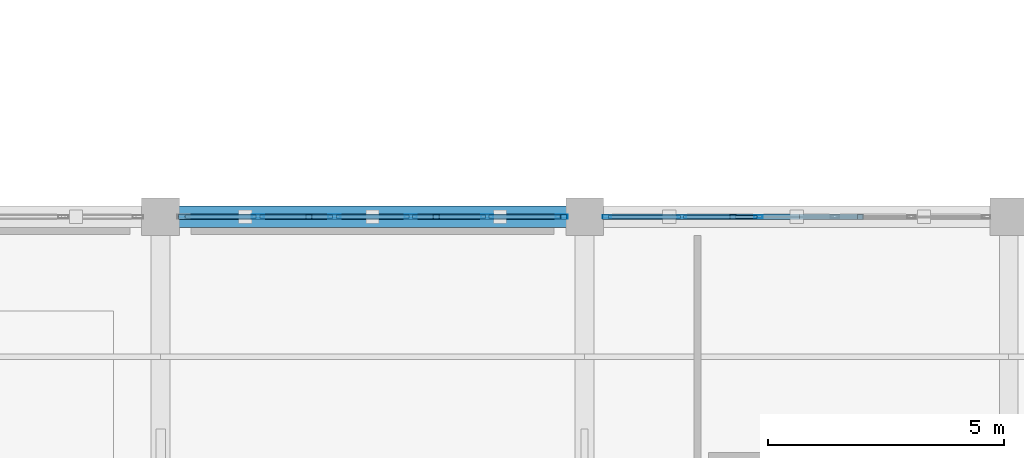
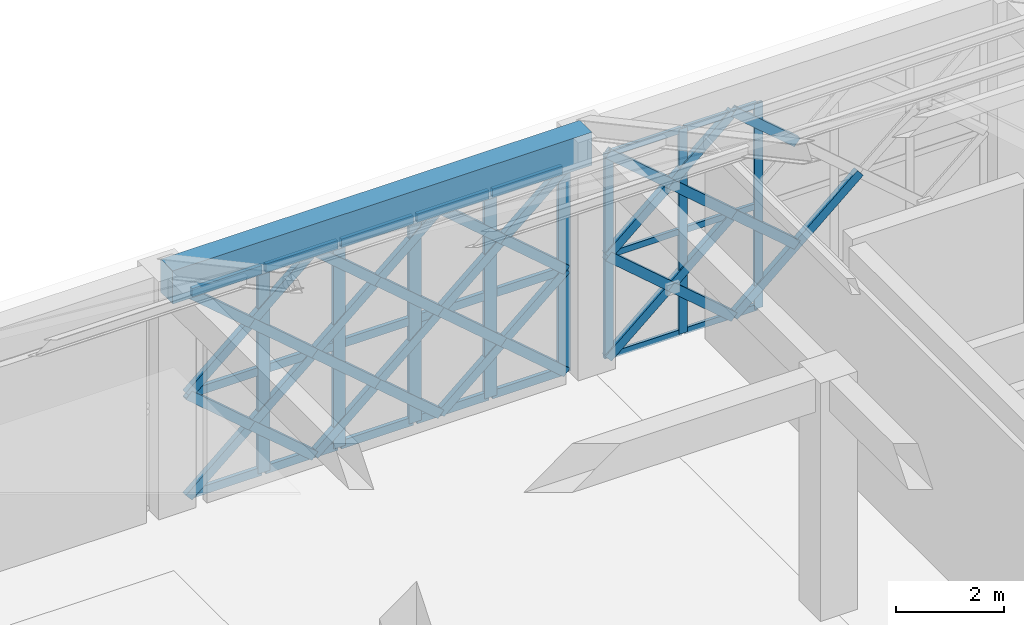
# One storey, part 58 of 86: 56 members, 1 beam, 2 elements without a shape of their own.
"""IFC4 building model written with IfcOpenShell, lengths in metres."""

from ifc_helpers import new_model, si_unit, direction, frame, origin, origin_2d, place, context, subcontext, project, spatial, rectangle, hollow_rectangle, extrude, material, material_profile, profile_set, type_object, element, aggregate, save


model = new_model("IFC4")

# Units and contexts
model_context = context("Model", 3, precision=1e-05, world=origin(), true_north=direction((0.0, 1.0)))
body_context = subcontext(model_context, "Body", "Model", "MODEL_VIEW")
ifc_project = project(units=[si_unit("LENGTHUNIT", "METRE"), si_unit("AREAUNIT", "SQUARE_METRE"), si_unit("VOLUMEUNIT", "CUBIC_METRE"), si_unit("PLANEANGLEUNIT", "RADIAN"), si_unit("MASSUNIT", "GRAM", prefix="KILO")], contexts=[model_context])

# Site, building, storey
site_placement = place(None, origin())
site = spatial("IfcSite", under=ifc_project, at=site_placement, CompositionType="ELEMENT")
building_placement = place(site_placement, origin())
building = spatial("IfcBuilding", under=site, at=building_placement, Name="Haizhuo Lancet Aquarium", CompositionType="ELEMENT")
storey_placement = place(building_placement, frame((0.0, 0.0, 16.199951171875)))
storey = spatial("IfcBuildingStorey", under=building, at=storey_placement, Name="L03", CompositionType="ELEMENT", Elevation=16.199951171875)

# Beam
ifc_material_1 = material(Name="Concrete C40/50", Category="concrete")
ifc_material_profile_1 = material_profile(ifc_material_1, rectangle(XDim=0.449951171875, YDim=0.75, at=origin_2d()), Name="RC-BM 450x750")
ifc_profile_set_1 = profile_set([ifc_material_profile_1], Name="Concrete C40/50")
beam_type = type_object("IfcBeamType", Name="BM-RC-450x750", PredefinedType="BEAM", material=ifc_profile_set_1)
beam_placement = place(storey_placement, frame((45.0, -9.0, 5.025146484375), z_axis=(1.0, 0.0, 0.0), x_axis=(0.0, 1.0, 0.0)))
element("IfcBeam", 1, at=beam_placement, inside=storey, type_object=beam_type, Name="L03 V3 primary girder BM-L03-V3-020", PredefinedType="BEAM", context=body_context, shape_type="SweptSolid", body=[
    extrude(rectangle(XDim=0.449951171875, YDim=0.75, at=origin_2d()), origin(), (0.0, 0.0, 1.0), 9.0),
])

# Curtain wall, members
ifc_material_2 = material(Name="Aluminium 6063-T6", Category="aluminium")
curtain_wall_type = type_object("IfcCurtainWallType", Name="CWO-8110x4650", PredefinedType="NOTDEFINED", material=ifc_material_2)
curtain_wall_1_placement = place(storey_placement, origin())
curtain_wall_1 = element("IfcCurtainWall", 2, at=curtain_wall_1_placement, inside=storey, type_object=curtain_wall_type, Name="L03 curtain wall CW-V3-L03-070", PredefinedType="NOTDEFINED")
ifc_material_profile_2 = material_profile(ifc_material_2, hollow_rectangle(XDim=0.06494140625, YDim=0.179931640625, WallThickness=0.00390625, at=origin_2d()), Name="ALU-M 65x180x4")
ifc_profile_set_2 = profile_set([ifc_material_profile_2], Name="Aluminium 6063-T6")
member_type_1 = type_object("IfcMemberType", Name="CW-MUL-1", PredefinedType="MULLION", material=ifc_profile_set_2)
member_1_placement = place(storey_placement, frame((54.47705078125, -9.0, 0.0), z_axis=(0.0, 0.0, 1.0), x_axis=(0.0, 1.0, 0.0)))
member_1 = element("IfcMember", 3, at=member_1_placement, type_object=member_type_1, Name="CWO-81x46 mullion 1", PredefinedType="MULLION", context=body_context, shape_type="SweptSolid", body=[
    extrude(hollow_rectangle(XDim=0.06494140625, YDim=0.179931640625, WallThickness=0.00390625, at=origin_2d()), origin(), (0.0, 0.0, 1.0), 4.650146484375),
])
member_2_placement = place(storey_placement, frame((56.06689453125, -9.0, 0.0), z_axis=(0.0, 0.0, 1.0), x_axis=(0.0, 1.0, 0.0)))
member_2 = element("IfcMember", 4, at=member_2_placement, type_object=member_type_1, Name="CWO-81x46 mullion 2", PredefinedType="MULLION", context=body_context, shape_type="SweptSolid", body=[
    extrude(hollow_rectangle(XDim=0.06494140625, YDim=0.179931640625, WallThickness=0.00390625, at=origin_2d()), origin(), (0.0, 0.0, 1.0), 4.650146484375),
])
member_3_placement = place(storey_placement, frame((57.68896484375, -9.0, 0.0), z_axis=(0.0, 0.0, 1.0), x_axis=(0.0, 1.0, 0.0)))
member_3 = element("IfcMember", 5, at=member_3_placement, type_object=member_type_1, Name="CWO-81x46 mullion 3", PredefinedType="MULLION", context=body_context, shape_type="SweptSolid", body=[
    extrude(hollow_rectangle(XDim=0.06494140625, YDim=0.179931640625, WallThickness=0.00390625, at=origin_2d()), origin(), (0.0, 0.0, 1.0), 4.650146484375),
])

curtain_wall_2_placement = place(storey_placement, origin())
curtain_wall_2 = element("IfcCurtainWall", 6, at=curtain_wall_2_placement, inside=storey, type_object=curtain_wall_type, Name="L03 curtain wall CW-V3-L03-069", PredefinedType="NOTDEFINED")
ifc_material_profile_3 = material_profile(ifc_material_2, hollow_rectangle(XDim=0.080078125, YDim=0.260009765625, WallThickness=0.0048828125, at=origin_2d()), Name="ALU-M 80x260x5")
ifc_profile_set_3 = profile_set([ifc_material_profile_3], Name="Aluminium 6063-T6")
member_type_2 = type_object("IfcMemberType", Name="CW-MUL-3", PredefinedType="MULLION", material=ifc_profile_set_3)
member_4_placement = place(storey_placement, frame((47.06689453125, -9.0, 0.0), z_axis=(0.0, 0.0, 1.0), x_axis=(0.0, 1.0, 0.0)))
member_4 = element("IfcMember", 7, at=member_4_placement, type_object=member_type_2, Name="CWO-81x46 mullion 2", PredefinedType="MULLION", context=body_context, shape_type="SweptSolid", body=[
    extrude(hollow_rectangle(XDim=0.080078125, YDim=0.260009765625, WallThickness=0.0048828125, at=origin_2d()), origin(), (0.0, 0.0, 1.0), 4.650146484375),
])
member_5_placement = place(storey_placement, frame((48.68896484375, -9.0, 0.0), z_axis=(0.0, 0.0, 1.0), x_axis=(0.0, 1.0, 0.0)))
member_5 = element("IfcMember", 8, at=member_5_placement, type_object=member_type_2, Name="CWO-81x46 mullion 3", PredefinedType="MULLION", context=body_context, shape_type="SweptSolid", body=[
    extrude(hollow_rectangle(XDim=0.080078125, YDim=0.260009765625, WallThickness=0.0048828125, at=origin_2d()), origin(), (0.0, 0.0, 1.0), 4.650146484375),
])
member_6_placement = place(storey_placement, frame((50.31103515625, -9.0, 0.0), z_axis=(0.0, 0.0, 1.0), x_axis=(0.0, 1.0, 0.0)))
member_6 = element("IfcMember", 9, at=member_6_placement, type_object=member_type_2, Name="CWO-81x46 mullion 4", PredefinedType="MULLION", context=body_context, shape_type="SweptSolid", body=[
    extrude(hollow_rectangle(XDim=0.080078125, YDim=0.260009765625, WallThickness=0.0048828125, at=origin_2d()), origin(), (0.0, 0.0, 1.0), 4.650146484375),
])
member_7_placement = place(storey_placement, frame((51.93310546875, -9.0, 0.0), z_axis=(0.0, 0.0, 1.0), x_axis=(0.0, 1.0, 0.0)))
member_7 = element("IfcMember", 10, at=member_7_placement, type_object=member_type_2, Name="CWO-81x46 mullion 5", PredefinedType="MULLION", context=body_context, shape_type="SweptSolid", body=[
    extrude(hollow_rectangle(XDim=0.080078125, YDim=0.260009765625, WallThickness=0.0048828125, at=origin_2d()), origin(), (0.0, 0.0, 1.0), 4.650146484375),
])
member_8_placement = place(storey_placement, frame((53.514892578125, -9.0, 0.0), z_axis=(0.0, 0.0, 1.0), x_axis=(0.0, 1.0, 0.0)))
member_8 = element("IfcMember", 11, at=member_8_placement, type_object=member_type_2, Name="CWO-81x46 mullion 6", PredefinedType="MULLION", context=body_context, shape_type="SweptSolid", body=[
    extrude(hollow_rectangle(XDim=0.080078125, YDim=0.260009765625, WallThickness=0.0048828125, at=origin_2d()), origin(), (0.0, 0.0, 1.0), 4.650146484375),
])

# Member
ifc_material_profile_4 = material_profile(ifc_material_2, hollow_rectangle(XDim=0.06494140625, YDim=0.139892578125, WallThickness=0.00390625, at=origin_2d()), Name="ALU-T 65x140x4")
ifc_profile_set_4 = profile_set([ifc_material_profile_4], Name="Aluminium 6063-T6")
member_type_3 = type_object("IfcMemberType", Name="CW-TRN-1", PredefinedType="NOTDEFINED", material=ifc_profile_set_4)
member_9_placement = place(storey_placement, frame((54.510009765625, -9.0, 0.031982421875), z_axis=(1.0, 0.0, 0.0), x_axis=(0.0, 1.0, 0.0)))
member_9 = element("IfcMember", 12, at=member_9_placement, type_object=member_type_3, Name="CWO-81x46 transom 1.1", ObjectType="TRANSOM", PredefinedType="USERDEFINED", context=body_context, shape_type="SweptSolid", body=[
    extrude(hollow_rectangle(XDim=0.06494140625, YDim=0.139892578125, WallThickness=0.00390625, at=origin_2d()), origin(), (0.0, 0.0, 1.0), 1.52490234375),
])

member_10_placement = place(storey_placement, frame((54.510009765625, -9.0, 2.324951171875), z_axis=(1.0, 0.0, 0.0), x_axis=(0.0, 1.0, 0.0)))
member_10 = element("IfcMember", 13, at=member_10_placement, type_object=member_type_3, Name="CWO-81x46 transom 1.2", ObjectType="TRANSOM", PredefinedType="USERDEFINED", context=body_context, shape_type="SweptSolid", body=[
    extrude(hollow_rectangle(XDim=0.06494140625, YDim=0.139892578125, WallThickness=0.00390625, at=origin_2d()), origin(), (0.0, 0.0, 1.0), 1.52490234375),
])

member_11_placement = place(storey_placement, frame((54.510009765625, -9.0, 4.6181640625), z_axis=(1.0, 0.0, 0.0), x_axis=(0.0, 1.0, 0.0)))
member_11 = element("IfcMember", 14, at=member_11_placement, type_object=member_type_3, Name="CWO-81x46 transom 1.3", ObjectType="TRANSOM", PredefinedType="USERDEFINED", context=body_context, shape_type="SweptSolid", body=[
    extrude(hollow_rectangle(XDim=0.06494140625, YDim=0.139892578125, WallThickness=0.00390625, at=origin_2d()), origin(), (0.0, 0.0, 1.0), 1.52490234375),
])

member_12_placement = place(storey_placement, frame((56.09912109375, -9.0, 0.031982421875), z_axis=(1.0, 0.0, 0.0), x_axis=(0.0, 1.0, 0.0)))
member_12 = element("IfcMember", 15, at=member_12_placement, type_object=member_type_3, Name="CWO-81x46 transom 2.1", ObjectType="TRANSOM", PredefinedType="USERDEFINED", context=body_context, shape_type="SweptSolid", body=[
    extrude(hollow_rectangle(XDim=0.06494140625, YDim=0.139892578125, WallThickness=0.00390625, at=origin_2d()), origin(), (0.0, 0.0, 1.0), 1.557861328125),
])

member_13_placement = place(storey_placement, frame((56.09912109375, -9.0, 2.324951171875), z_axis=(1.0, 0.0, 0.0), x_axis=(0.0, 1.0, 0.0)))
member_13 = element("IfcMember", 16, at=member_13_placement, type_object=member_type_3, Name="CWO-81x46 transom 2.2", ObjectType="TRANSOM", PredefinedType="USERDEFINED", context=body_context, shape_type="SweptSolid", body=[
    extrude(hollow_rectangle(XDim=0.06494140625, YDim=0.139892578125, WallThickness=0.00390625, at=origin_2d()), origin(), (0.0, 0.0, 1.0), 1.557861328125),
])

member_14_placement = place(storey_placement, frame((56.09912109375, -9.0, 4.6181640625), z_axis=(1.0, 0.0, 0.0), x_axis=(0.0, 1.0, 0.0)))
member_14 = element("IfcMember", 17, at=member_14_placement, type_object=member_type_3, Name="CWO-81x46 transom 2.3", ObjectType="TRANSOM", PredefinedType="USERDEFINED", context=body_context, shape_type="SweptSolid", body=[
    extrude(hollow_rectangle(XDim=0.06494140625, YDim=0.139892578125, WallThickness=0.00390625, at=origin_2d()), origin(), (0.0, 0.0, 1.0), 1.557861328125),
])

aggregate(curtain_wall_1, [member_1, member_2, member_3, member_9, member_10, member_11, member_12, member_13, member_14])

ifc_material_profile_5 = material_profile(ifc_material_2, hollow_rectangle(XDim=0.080078125, YDim=0.18994140625, WallThickness=0.0048828125, at=origin_2d()), Name="ALU-T 80x190x5")
ifc_profile_set_5 = profile_set([ifc_material_profile_5], Name="Aluminium 6063-T6")
member_type_4 = type_object("IfcMemberType", Name="CW-TRN-3", PredefinedType="NOTDEFINED", material=ifc_profile_set_5)
member_15_placement = place(storey_placement, frame((45.52490234375, -9.0, 0.0400390625), z_axis=(1.0, 0.0, 0.0), x_axis=(0.0, 1.0, 0.0)))
member_15 = element("IfcMember", 18, at=member_15_placement, type_object=member_type_4, Name="CWO-81x46 transom 1.1", ObjectType="TRANSOM", PredefinedType="USERDEFINED", context=body_context, shape_type="SweptSolid", body=[
    extrude(hollow_rectangle(XDim=0.080078125, YDim=0.18994140625, WallThickness=0.0048828125, at=origin_2d()), origin(), (0.0, 0.0, 1.0), 1.502197265625),
])

member_16_placement = place(storey_placement, frame((45.52490234375, -9.0, 2.324951171875), z_axis=(1.0, 0.0, 0.0), x_axis=(0.0, 1.0, 0.0)))
member_16 = element("IfcMember", 19, at=member_16_placement, type_object=member_type_4, Name="CWO-81x46 transom 1.2", ObjectType="TRANSOM", PredefinedType="USERDEFINED", context=body_context, shape_type="SweptSolid", body=[
    extrude(hollow_rectangle(XDim=0.080078125, YDim=0.18994140625, WallThickness=0.0048828125, at=origin_2d()), origin(), (0.0, 0.0, 1.0), 1.502197265625),
])

member_17_placement = place(storey_placement, frame((45.52490234375, -9.0, 4.610107421875), z_axis=(1.0, 0.0, 0.0), x_axis=(0.0, 1.0, 0.0)))
member_17 = element("IfcMember", 20, at=member_17_placement, type_object=member_type_4, Name="CWO-81x46 transom 1.3", ObjectType="TRANSOM", PredefinedType="USERDEFINED", context=body_context, shape_type="SweptSolid", body=[
    extrude(hollow_rectangle(XDim=0.080078125, YDim=0.18994140625, WallThickness=0.0048828125, at=origin_2d()), origin(), (0.0, 0.0, 1.0), 1.502197265625),
])

member_18_placement = place(storey_placement, frame((47.10693359375, -9.0, 0.0400390625), z_axis=(1.0, 0.0, 0.0), x_axis=(0.0, 1.0, 0.0)))
member_18 = element("IfcMember", 21, at=member_18_placement, type_object=member_type_4, Name="CWO-81x46 transom 2.1", ObjectType="TRANSOM", PredefinedType="USERDEFINED", context=body_context, shape_type="SweptSolid", body=[
    extrude(hollow_rectangle(XDim=0.080078125, YDim=0.18994140625, WallThickness=0.0048828125, at=origin_2d()), origin(), (0.0, 0.0, 1.0), 1.5419921875),
])

member_19_placement = place(storey_placement, frame((47.10693359375, -9.0, 2.324951171875), z_axis=(1.0, 0.0, 0.0), x_axis=(0.0, 1.0, 0.0)))
member_19 = element("IfcMember", 22, at=member_19_placement, type_object=member_type_4, Name="CWO-81x46 transom 2.2", ObjectType="TRANSOM", PredefinedType="USERDEFINED", context=body_context, shape_type="SweptSolid", body=[
    extrude(hollow_rectangle(XDim=0.080078125, YDim=0.18994140625, WallThickness=0.0048828125, at=origin_2d()), origin(), (0.0, 0.0, 1.0), 1.5419921875),
])

member_20_placement = place(storey_placement, frame((47.10693359375, -9.0, 4.610107421875), z_axis=(1.0, 0.0, 0.0), x_axis=(0.0, 1.0, 0.0)))
member_20 = element("IfcMember", 23, at=member_20_placement, type_object=member_type_4, Name="CWO-81x46 transom 2.3", ObjectType="TRANSOM", PredefinedType="USERDEFINED", context=body_context, shape_type="SweptSolid", body=[
    extrude(hollow_rectangle(XDim=0.080078125, YDim=0.18994140625, WallThickness=0.0048828125, at=origin_2d()), origin(), (0.0, 0.0, 1.0), 1.5419921875),
])

member_21_placement = place(storey_placement, frame((48.72900390625, -9.0, 0.0400390625), z_axis=(1.0, 0.0, 0.0), x_axis=(0.0, 1.0, 0.0)))
member_21 = element("IfcMember", 24, at=member_21_placement, type_object=member_type_4, Name="CWO-81x46 transom 3.1", ObjectType="TRANSOM", PredefinedType="USERDEFINED", context=body_context, shape_type="SweptSolid", body=[
    extrude(hollow_rectangle(XDim=0.080078125, YDim=0.18994140625, WallThickness=0.0048828125, at=origin_2d()), origin(), (0.0, 0.0, 1.0), 1.5419921875),
])

member_22_placement = place(storey_placement, frame((48.72900390625, -9.0, 2.324951171875), z_axis=(1.0, 0.0, 0.0), x_axis=(0.0, 1.0, 0.0)))
member_22 = element("IfcMember", 25, at=member_22_placement, type_object=member_type_4, Name="CWO-81x46 transom 3.2", ObjectType="TRANSOM", PredefinedType="USERDEFINED", context=body_context, shape_type="SweptSolid", body=[
    extrude(hollow_rectangle(XDim=0.080078125, YDim=0.18994140625, WallThickness=0.0048828125, at=origin_2d()), origin(), (0.0, 0.0, 1.0), 1.5419921875),
])

member_23_placement = place(storey_placement, frame((48.72900390625, -9.0, 4.610107421875), z_axis=(1.0, 0.0, 0.0), x_axis=(0.0, 1.0, 0.0)))
member_23 = element("IfcMember", 26, at=member_23_placement, type_object=member_type_4, Name="CWO-81x46 transom 3.3", ObjectType="TRANSOM", PredefinedType="USERDEFINED", context=body_context, shape_type="SweptSolid", body=[
    extrude(hollow_rectangle(XDim=0.080078125, YDim=0.18994140625, WallThickness=0.0048828125, at=origin_2d()), origin(), (0.0, 0.0, 1.0), 1.5419921875),
])

member_24_placement = place(storey_placement, frame((50.35107421875, -9.0, 0.0400390625), z_axis=(1.0, 0.0, 0.0), x_axis=(0.0, 1.0, 0.0)))
member_24 = element("IfcMember", 27, at=member_24_placement, type_object=member_type_4, Name="CWO-81x46 transom 4.1", ObjectType="TRANSOM", PredefinedType="USERDEFINED", context=body_context, shape_type="SweptSolid", body=[
    extrude(hollow_rectangle(XDim=0.080078125, YDim=0.18994140625, WallThickness=0.0048828125, at=origin_2d()), origin(), (0.0, 0.0, 1.0), 1.5419921875),
])

member_25_placement = place(storey_placement, frame((50.35107421875, -9.0, 2.324951171875), z_axis=(1.0, 0.0, 0.0), x_axis=(0.0, 1.0, 0.0)))
member_25 = element("IfcMember", 28, at=member_25_placement, type_object=member_type_4, Name="CWO-81x46 transom 4.2", ObjectType="TRANSOM", PredefinedType="USERDEFINED", context=body_context, shape_type="SweptSolid", body=[
    extrude(hollow_rectangle(XDim=0.080078125, YDim=0.18994140625, WallThickness=0.0048828125, at=origin_2d()), origin(), (0.0, 0.0, 1.0), 1.5419921875),
])

member_26_placement = place(storey_placement, frame((50.35107421875, -9.0, 4.610107421875), z_axis=(1.0, 0.0, 0.0), x_axis=(0.0, 1.0, 0.0)))
member_26 = element("IfcMember", 29, at=member_26_placement, type_object=member_type_4, Name="CWO-81x46 transom 4.3", ObjectType="TRANSOM", PredefinedType="USERDEFINED", context=body_context, shape_type="SweptSolid", body=[
    extrude(hollow_rectangle(XDim=0.080078125, YDim=0.18994140625, WallThickness=0.0048828125, at=origin_2d()), origin(), (0.0, 0.0, 1.0), 1.5419921875),
])

member_27_placement = place(storey_placement, frame((51.972900390625, -9.0, 0.0400390625), z_axis=(1.0, 0.0, 0.0), x_axis=(0.0, 1.0, 0.0)))
member_27 = element("IfcMember", 30, at=member_27_placement, type_object=member_type_4, Name="CWO-81x46 transom 5.1", ObjectType="TRANSOM", PredefinedType="USERDEFINED", context=body_context, shape_type="SweptSolid", body=[
    extrude(hollow_rectangle(XDim=0.080078125, YDim=0.18994140625, WallThickness=0.0048828125, at=origin_2d()), origin(), (0.0, 0.0, 1.0), 1.502197265625),
])

member_28_placement = place(storey_placement, frame((51.972900390625, -9.0, 2.324951171875), z_axis=(1.0, 0.0, 0.0), x_axis=(0.0, 1.0, 0.0)))
member_28 = element("IfcMember", 31, at=member_28_placement, type_object=member_type_4, Name="CWO-81x46 transom 5.2", ObjectType="TRANSOM", PredefinedType="USERDEFINED", context=body_context, shape_type="SweptSolid", body=[
    extrude(hollow_rectangle(XDim=0.080078125, YDim=0.18994140625, WallThickness=0.0048828125, at=origin_2d()), origin(), (0.0, 0.0, 1.0), 1.502197265625),
])

member_29_placement = place(storey_placement, frame((51.972900390625, -9.0, 4.610107421875), z_axis=(1.0, 0.0, 0.0), x_axis=(0.0, 1.0, 0.0)))
member_29 = element("IfcMember", 32, at=member_29_placement, type_object=member_type_4, Name="CWO-81x46 transom 5.3", ObjectType="TRANSOM", PredefinedType="USERDEFINED", context=body_context, shape_type="SweptSolid", body=[
    extrude(hollow_rectangle(XDim=0.080078125, YDim=0.18994140625, WallThickness=0.0048828125, at=origin_2d()), origin(), (0.0, 0.0, 1.0), 1.502197265625),
])

aggregate(curtain_wall_2, [member_4, member_5, member_6, member_7, member_8, member_15, member_16, member_17, member_18, member_19, member_20, member_21, member_22, member_23, member_24, member_25, member_26, member_27, member_28, member_29])

# Members
ifc_material_3 = material(Name="Steel S355", Category="steel")
ifc_material_profile_6 = material_profile(ifc_material_3, hollow_rectangle(XDim=0.1201171875, YDim=0.199951171875, WallThickness=0.008056640625, at=origin_2d()), Name="RHS 120x200x8")
ifc_profile_set_6 = profile_set([ifc_material_profile_6], Name="Steel S355")
member_type_5 = type_object("IfcMemberType", Name="MEM-LB-RHS120x200", PredefinedType="BRACE", material=ifc_profile_set_6)
member_30_placement = place(storey_placement, frame((45.445068359375, -9.0, 0.0), z_axis=(0.758119517235, 0.0, 0.652115632068), x_axis=(0.0, 1.0, 0.0)))
element("IfcMember", 33, at=member_30_placement, inside=storey, type_object=member_type_5, Name="Gothic lancet continuous diagonal brace CW-V3-L03-069 1A", PredefinedType="BRACE", context=body_context, shape_type="SweptSolid", body=[
    extrude(hollow_rectangle(XDim=0.1201171875, YDim=0.199951171875, WallThickness=0.008056640625, at=origin_2d()), origin(), (0.0, 0.0, 1.0), 3.565185546875),
])
member_31_placement = place(storey_placement, frame((48.14794921875, -9.0, 0.0), z_axis=(-0.758075457988, 0.0, 0.652166849814), x_axis=(0.0, -1.0, 0.0)))
element("IfcMember", 34, at=member_31_placement, inside=storey, type_object=member_type_5, Name="Gothic lancet split diagonal brace CW-V3-L03-069 1B1", PredefinedType="BRACE", context=body_context, shape_type="SweptSolid", body=[
    extrude(hollow_rectangle(XDim=0.1201171875, YDim=0.199951171875, WallThickness=0.008056640625, at=origin_2d()), origin(), (0.0, 0.0, 1.0), 1.781982421875),
])
member_32_placement = place(storey_placement, frame((46.797119140625, -9.0, 1.162109375), z_axis=(-0.758163538361, 0.0, 0.652064451646), x_axis=(0.0, -1.0, 0.0)))
element("IfcMember", 35, at=member_32_placement, inside=storey, type_object=member_type_5, Name="Gothic lancet split diagonal brace CW-V3-L03-069 1B2", PredefinedType="BRACE", context=body_context, shape_type="SweptSolid", body=[
    extrude(hollow_rectangle(XDim=0.1201171875, YDim=0.199951171875, WallThickness=0.008056640625, at=origin_2d()), origin(), (0.0, 0.0, 1.0), 1.783203125),
])
member_33_placement = place(storey_placement, frame((45.445068359375, -9.0, 2.324951171875), z_axis=(0.758085663481, 0.0, 0.652154986812), x_axis=(0.0, 1.0, 0.0)))
element("IfcMember", 36, at=member_33_placement, inside=storey, type_object=member_type_5, Name="Gothic lancet continuous diagonal brace CW-V3-L03-069 2A", PredefinedType="BRACE", context=body_context, shape_type="SweptSolid", body=[
    extrude(hollow_rectangle(XDim=0.1201171875, YDim=0.199951171875, WallThickness=0.008056640625, at=origin_2d()), origin(), (0.0, 0.0, 1.0), 3.5654296875),
])
member_34_placement = place(storey_placement, frame((48.14794921875, -9.0, 2.324951171875), z_axis=(-0.757804543333, 0.0, 0.652481627407), x_axis=(0.0, -1.0, 0.0)))
element("IfcMember", 37, at=member_34_placement, inside=storey, type_object=member_type_5, Name="Gothic lancet split diagonal brace CW-V3-L03-069 2B1", PredefinedType="BRACE", context=body_context, shape_type="SweptSolid", body=[
    extrude(hollow_rectangle(XDim=0.1201171875, YDim=0.199951171875, WallThickness=0.008056640625, at=origin_2d()), origin(), (0.0, 0.0, 1.0), 1.782470703125),
])
member_35_placement = place(storey_placement, frame((46.797119140625, -9.0, 3.488037109375), z_axis=(-0.758366597375, 0.0, 0.651828277989), x_axis=(0.0, -1.0, 0.0)))
element("IfcMember", 38, at=member_35_placement, inside=storey, type_object=member_type_5, Name="Gothic lancet split diagonal brace CW-V3-L03-069 2B2", PredefinedType="BRACE", context=body_context, shape_type="SweptSolid", body=[
    extrude(hollow_rectangle(XDim=0.1201171875, YDim=0.199951171875, WallThickness=0.008056640625, at=origin_2d()), origin(), (0.0, 0.0, 1.0), 1.782958984375),
])
member_36_placement = place(storey_placement, frame((48.14794921875, -9.0, 0.0), z_axis=(0.758265063468, 0.0, 0.651946388535), x_axis=(0.0, 1.0, 0.0)))
element("IfcMember", 39, at=member_36_placement, inside=storey, type_object=member_type_5, Name="Gothic lancet continuous diagonal brace CW-V3-L03-069 3A", PredefinedType="BRACE", context=body_context, shape_type="SweptSolid", body=[
    extrude(hollow_rectangle(XDim=0.1201171875, YDim=0.199951171875, WallThickness=0.008056640625, at=origin_2d()), origin(), (0.0, 0.0, 1.0), 3.566162109375),
])
member_37_placement = place(storey_placement, frame((50.85205078125, -9.0, 0.0), z_axis=(-0.758366597375, 0.0, 0.651828277989), x_axis=(0.0, -1.0, 0.0)))
element("IfcMember", 40, at=member_37_placement, inside=storey, type_object=member_type_5, Name="Gothic lancet split diagonal brace CW-V3-L03-069 3B1", PredefinedType="BRACE", context=body_context, shape_type="SweptSolid", body=[
    extrude(hollow_rectangle(XDim=0.1201171875, YDim=0.199951171875, WallThickness=0.008056640625, at=origin_2d()), origin(), (0.0, 0.0, 1.0), 1.782958984375),
])
member_38_placement = place(storey_placement, frame((49.5, -9.0, 1.162109375), z_axis=(-0.758163538361, 0.0, 0.652064451646), x_axis=(0.0, -1.0, 0.0)))
element("IfcMember", 41, at=member_38_placement, inside=storey, type_object=member_type_5, Name="Gothic lancet split diagonal brace CW-V3-L03-069 3B2", PredefinedType="BRACE", context=body_context, shape_type="SweptSolid", body=[
    extrude(hollow_rectangle(XDim=0.1201171875, YDim=0.199951171875, WallThickness=0.008056640625, at=origin_2d()), origin(), (0.0, 0.0, 1.0), 1.783203125),
])
member_39_placement = place(storey_placement, frame((48.14794921875, -9.0, 2.324951171875), z_axis=(0.758231220788, 0.0, 0.651985748175), x_axis=(0.0, 1.0, 0.0)))
element("IfcMember", 42, at=member_39_placement, inside=storey, type_object=member_type_5, Name="Gothic lancet continuous diagonal brace CW-V3-L03-069 4A", PredefinedType="BRACE", context=body_context, shape_type="SweptSolid", body=[
    extrude(hollow_rectangle(XDim=0.1201171875, YDim=0.199951171875, WallThickness=0.008056640625, at=origin_2d()), origin(), (0.0, 0.0, 1.0), 3.56640625),
])
member_40_placement = place(storey_placement, frame((50.85205078125, -9.0, 2.324951171875), z_axis=(-0.75809585985, 0.0, 0.652143134042), x_axis=(0.0, -1.0, 0.0)))
element("IfcMember", 43, at=member_40_placement, inside=storey, type_object=member_type_5, Name="Gothic lancet split diagonal brace CW-V3-L03-069 4B1", PredefinedType="BRACE", context=body_context, shape_type="SweptSolid", body=[
    extrude(hollow_rectangle(XDim=0.1201171875, YDim=0.199951171875, WallThickness=0.008056640625, at=origin_2d()), origin(), (0.0, 0.0, 1.0), 1.783447265625),
])
member_41_placement = place(storey_placement, frame((49.5, -9.0, 3.488037109375), z_axis=(-0.758366597375, 0.0, 0.651828277989), x_axis=(0.0, -1.0, 0.0)))
element("IfcMember", 44, at=member_41_placement, inside=storey, type_object=member_type_5, Name="Gothic lancet split diagonal brace CW-V3-L03-069 4B2", PredefinedType="BRACE", context=body_context, shape_type="SweptSolid", body=[
    extrude(hollow_rectangle(XDim=0.1201171875, YDim=0.199951171875, WallThickness=0.008056640625, at=origin_2d()), origin(), (0.0, 0.0, 1.0), 1.782958984375),
])
member_42_placement = place(storey_placement, frame((50.85205078125, -9.0, 0.0), z_axis=(0.758119517235, 0.0, 0.652115632068), x_axis=(0.0, 1.0, 0.0)))
element("IfcMember", 45, at=member_42_placement, inside=storey, type_object=member_type_5, Name="Gothic lancet continuous diagonal brace CW-V3-L03-069 5A", PredefinedType="BRACE", context=body_context, shape_type="SweptSolid", body=[
    extrude(hollow_rectangle(XDim=0.1201171875, YDim=0.199951171875, WallThickness=0.008056640625, at=origin_2d()), origin(), (0.0, 0.0, 1.0), 3.565185546875),
])
member_43_placement = place(storey_placement, frame((53.554931640625, -9.0, 0.0), z_axis=(-0.758366597375, 0.0, 0.651828277989), x_axis=(0.0, -1.0, 0.0)))
element("IfcMember", 46, at=member_43_placement, inside=storey, type_object=member_type_5, Name="Gothic lancet split diagonal brace CW-V3-L03-069 5B1", PredefinedType="BRACE", context=body_context, shape_type="SweptSolid", body=[
    extrude(hollow_rectangle(XDim=0.1201171875, YDim=0.199951171875, WallThickness=0.008056640625, at=origin_2d()), origin(), (0.0, 0.0, 1.0), 1.782958984375),
])
member_44_placement = place(storey_placement, frame((52.202880859375, -9.0, 1.162109375), z_axis=(-0.757872266095, 0.0, 0.65240296465), x_axis=(0.0, -1.0, 0.0)))
element("IfcMember", 47, at=member_44_placement, inside=storey, type_object=member_type_5, Name="Gothic lancet split diagonal brace CW-V3-L03-069 5B2", PredefinedType="BRACE", context=body_context, shape_type="SweptSolid", body=[
    extrude(hollow_rectangle(XDim=0.1201171875, YDim=0.199951171875, WallThickness=0.008056640625, at=origin_2d()), origin(), (0.0, 0.0, 1.0), 1.782470703125),
])
member_45_placement = place(storey_placement, frame((50.85205078125, -9.0, 2.324951171875), z_axis=(0.758085663481, 0.0, 0.652154986812), x_axis=(0.0, 1.0, 0.0)))
element("IfcMember", 48, at=member_45_placement, inside=storey, type_object=member_type_5, Name="Gothic lancet continuous diagonal brace CW-V3-L03-069 6A", PredefinedType="BRACE", context=body_context, shape_type="SweptSolid", body=[
    extrude(hollow_rectangle(XDim=0.1201171875, YDim=0.199951171875, WallThickness=0.008056640625, at=origin_2d()), origin(), (0.0, 0.0, 1.0), 3.5654296875),
])
member_46_placement = place(storey_placement, frame((53.554931640625, -9.0, 2.324951171875), z_axis=(-0.75809585985, 0.0, 0.652143134042), x_axis=(0.0, -1.0, 0.0)))
element("IfcMember", 49, at=member_46_placement, inside=storey, type_object=member_type_5, Name="Gothic lancet split diagonal brace CW-V3-L03-069 6B1", PredefinedType="BRACE", context=body_context, shape_type="SweptSolid", body=[
    extrude(hollow_rectangle(XDim=0.1201171875, YDim=0.199951171875, WallThickness=0.008056640625, at=origin_2d()), origin(), (0.0, 0.0, 1.0), 1.783447265625),
])
member_47_placement = place(storey_placement, frame((52.202880859375, -9.0, 3.488037109375), z_axis=(-0.758075457988, 0.0, 0.652166849814), x_axis=(0.0, -1.0, 0.0)))
element("IfcMember", 50, at=member_47_placement, inside=storey, type_object=member_type_5, Name="Gothic lancet split diagonal brace CW-V3-L03-069 6B2", PredefinedType="BRACE", context=body_context, shape_type="SweptSolid", body=[
    extrude(hollow_rectangle(XDim=0.1201171875, YDim=0.199951171875, WallThickness=0.008056640625, at=origin_2d()), origin(), (0.0, 0.0, 1.0), 1.781982421875),
])
member_48_placement = place(storey_placement, frame((54.445068359375, -9.0, 0.0), z_axis=(0.758119517235, 0.0, 0.652115632068), x_axis=(0.0, 1.0, 0.0)))
element("IfcMember", 51, at=member_48_placement, inside=storey, type_object=member_type_5, Name="Gothic lancet continuous diagonal brace CW-V3-L03-070 1A", PredefinedType="BRACE", context=body_context, shape_type="SweptSolid", body=[
    extrude(hollow_rectangle(XDim=0.1201171875, YDim=0.199951171875, WallThickness=0.008056640625, at=origin_2d()), origin(), (0.0, 0.0, 1.0), 3.565185546875),
])
member_49_placement = place(storey_placement, frame((57.14794921875, -9.0, 0.0), z_axis=(-0.758075457988, 0.0, 0.652166849814), x_axis=(0.0, -1.0, 0.0)))
element("IfcMember", 52, at=member_49_placement, inside=storey, type_object=member_type_5, Name="Gothic lancet split diagonal brace CW-V3-L03-070 1B1", PredefinedType="BRACE", context=body_context, shape_type="SweptSolid", body=[
    extrude(hollow_rectangle(XDim=0.1201171875, YDim=0.199951171875, WallThickness=0.008056640625, at=origin_2d()), origin(), (0.0, 0.0, 1.0), 1.781982421875),
])
member_50_placement = place(storey_placement, frame((55.797119140625, -9.0, 1.162109375), z_axis=(-0.758163538361, 0.0, 0.652064451646), x_axis=(0.0, -1.0, 0.0)))
element("IfcMember", 53, at=member_50_placement, inside=storey, type_object=member_type_5, Name="Gothic lancet split diagonal brace CW-V3-L03-070 1B2", PredefinedType="BRACE", context=body_context, shape_type="SweptSolid", body=[
    extrude(hollow_rectangle(XDim=0.1201171875, YDim=0.199951171875, WallThickness=0.008056640625, at=origin_2d()), origin(), (0.0, 0.0, 1.0), 1.783203125),
])
member_51_placement = place(storey_placement, frame((54.445068359375, -9.0, 2.324951171875), z_axis=(0.758085663481, 0.0, 0.652154986812), x_axis=(0.0, 1.0, 0.0)))
element("IfcMember", 54, at=member_51_placement, inside=storey, type_object=member_type_5, Name="Gothic lancet continuous diagonal brace CW-V3-L03-070 2A", PredefinedType="BRACE", context=body_context, shape_type="SweptSolid", body=[
    extrude(hollow_rectangle(XDim=0.1201171875, YDim=0.199951171875, WallThickness=0.008056640625, at=origin_2d()), origin(), (0.0, 0.0, 1.0), 3.5654296875),
])
member_52_placement = place(storey_placement, frame((57.14794921875, -9.0, 2.324951171875), z_axis=(-0.757804543333, 0.0, 0.652481627407), x_axis=(0.0, -1.0, 0.0)))
element("IfcMember", 55, at=member_52_placement, inside=storey, type_object=member_type_5, Name="Gothic lancet split diagonal brace CW-V3-L03-070 2B1", PredefinedType="BRACE", context=body_context, shape_type="SweptSolid", body=[
    extrude(hollow_rectangle(XDim=0.1201171875, YDim=0.199951171875, WallThickness=0.008056640625, at=origin_2d()), origin(), (0.0, 0.0, 1.0), 1.782470703125),
])
member_53_placement = place(storey_placement, frame((55.797119140625, -9.0, 3.488037109375), z_axis=(-0.758366597375, 0.0, 0.651828277989), x_axis=(0.0, -1.0, 0.0)))
element("IfcMember", 56, at=member_53_placement, inside=storey, type_object=member_type_5, Name="Gothic lancet split diagonal brace CW-V3-L03-070 2B2", PredefinedType="BRACE", context=body_context, shape_type="SweptSolid", body=[
    extrude(hollow_rectangle(XDim=0.1201171875, YDim=0.199951171875, WallThickness=0.008056640625, at=origin_2d()), origin(), (0.0, 0.0, 1.0), 1.782958984375),
])
member_54_placement = place(storey_placement, frame((57.14794921875, -9.0, 0.0), z_axis=(0.758265063468, 0.0, 0.651946388535), x_axis=(0.0, 1.0, 0.0)))
element("IfcMember", 57, at=member_54_placement, inside=storey, type_object=member_type_5, Name="Gothic lancet continuous diagonal brace CW-V3-L03-070 3A", PredefinedType="BRACE", context=body_context, shape_type="SweptSolid", body=[
    extrude(hollow_rectangle(XDim=0.1201171875, YDim=0.199951171875, WallThickness=0.008056640625, at=origin_2d()), origin(), (0.0, 0.0, 1.0), 3.566162109375),
])
member_55_placement = place(storey_placement, frame((58.5, -9.0, 1.162109375), z_axis=(-0.758163538361, 0.0, 0.652064451646), x_axis=(0.0, -1.0, 0.0)))
element("IfcMember", 58, at=member_55_placement, inside=storey, type_object=member_type_5, Name="Gothic lancet split diagonal brace CW-V3-L03-070 3B2", PredefinedType="BRACE", context=body_context, shape_type="SweptSolid", body=[
    extrude(hollow_rectangle(XDim=0.1201171875, YDim=0.199951171875, WallThickness=0.008056640625, at=origin_2d()), origin(), (0.0, 0.0, 1.0), 1.783203125),
])
member_56_placement = place(storey_placement, frame((58.5, -9.0, 3.488037109375), z_axis=(-0.758366597375, 0.0, 0.651828277989), x_axis=(0.0, -1.0, 0.0)))
element("IfcMember", 59, at=member_56_placement, inside=storey, type_object=member_type_5, Name="Gothic lancet split diagonal brace CW-V3-L03-070 4B2", PredefinedType="BRACE", context=body_context, shape_type="SweptSolid", body=[
    extrude(hollow_rectangle(XDim=0.1201171875, YDim=0.199951171875, WallThickness=0.008056640625, at=origin_2d()), origin(), (0.0, 0.0, 1.0), 1.782958984375),
])

save(model, "model.ifc")
